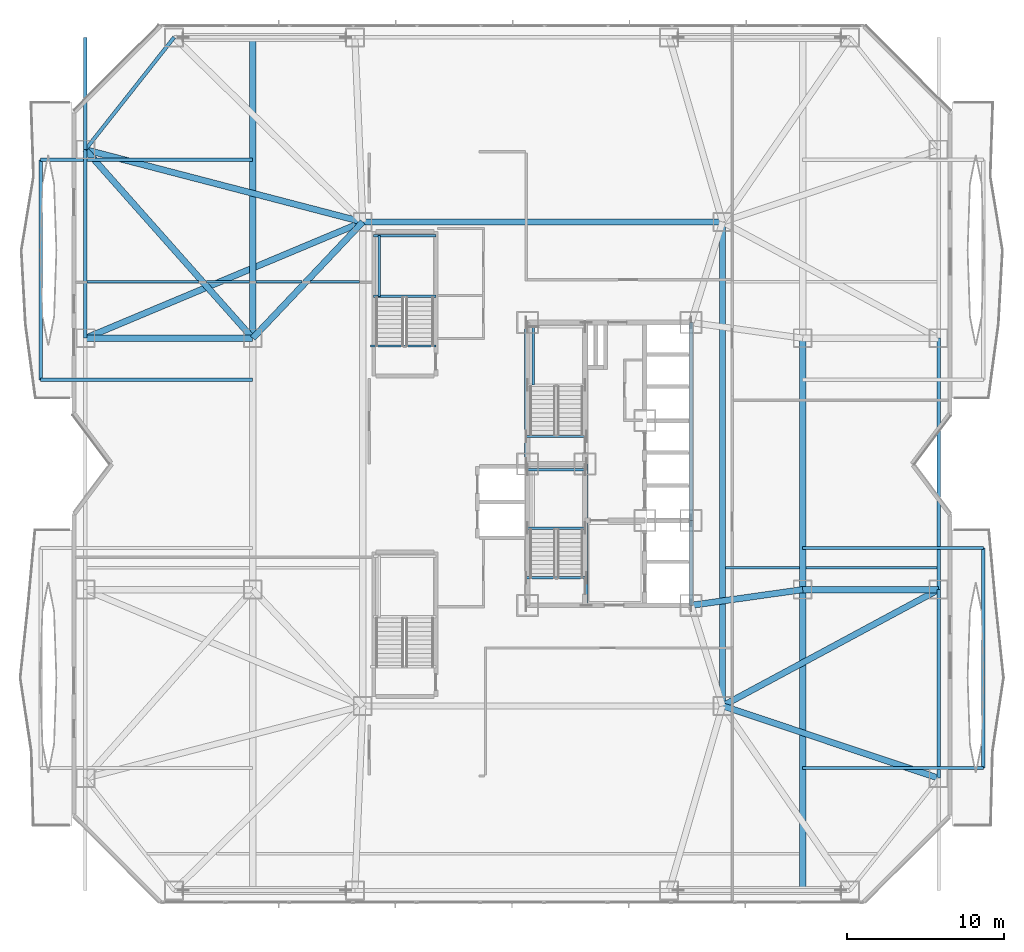
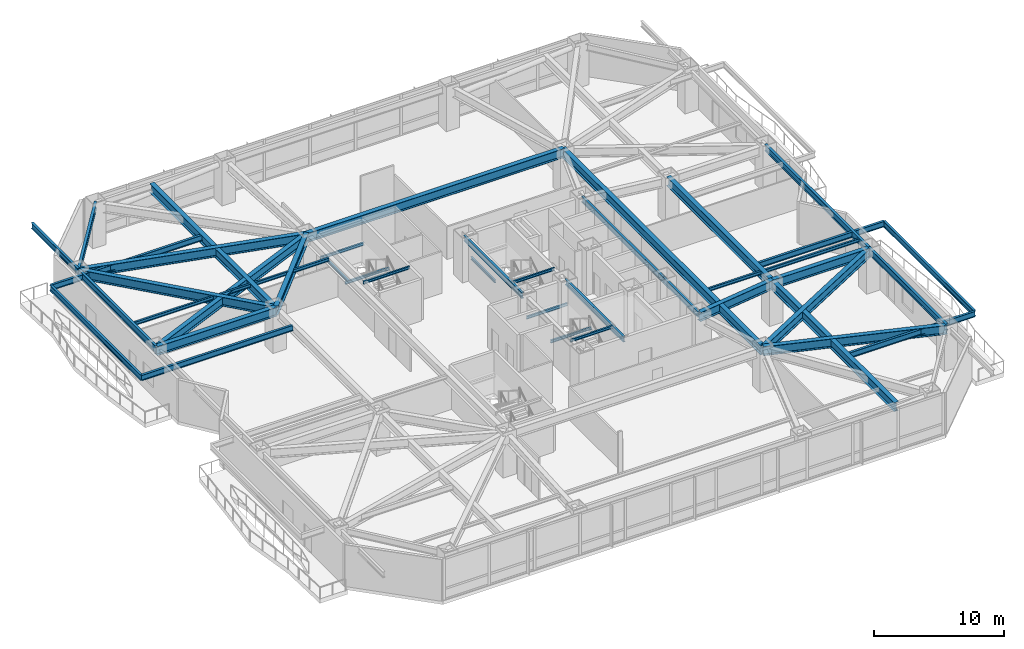
# One storey, part 9 of 32: 44 beams.
"""IFC4 building model written with IfcOpenShell, lengths in metres."""

from ifc_helpers import new_model, si_unit, direction, frame, origin, origin_2d, place, context, subcontext, project, spatial, i_section, extrude, material, material_profile, profile_set, type_object, element, save


model = new_model("IFC4")

# Units and contexts
model_context = context("Model", 3, precision=1e-05, world=origin(), true_north=direction((0.0, 1.0)))
body_context = subcontext(model_context, "Body", "Model", "MODEL_VIEW")
ifc_project = project(units=[si_unit("LENGTHUNIT", "METRE"), si_unit("AREAUNIT", "SQUARE_METRE"), si_unit("VOLUMEUNIT", "CUBIC_METRE"), si_unit("PLANEANGLEUNIT", "RADIAN"), si_unit("MASSUNIT", "GRAM", prefix="KILO")], contexts=[model_context])

# Site, building, storey
site_placement = place(None, origin())
site = spatial("IfcSite", under=ifc_project, at=site_placement, CompositionType="ELEMENT")
building_placement = place(site_placement, origin())
building = spatial("IfcBuilding", under=site, at=building_placement, Name="Khamvora Tower", CompositionType="ELEMENT")
storey_placement = place(building_placement, frame((0.0, 0.0, 12.0)))
storey = spatial("IfcBuildingStorey", under=building, at=storey_placement, Name="L02", CompositionType="ELEMENT", Elevation=12.0)

# Beams
ifc_material = material(Name="Steel S355", Category="steel")
ifc_material_profile_1 = material_profile(ifc_material, i_section(OverallWidth=0.166015625, OverallDepth=0.31298828125, WebThickness=0.007080078125, FlangeThickness=0.010986328125, FilletRadius=0.010009765625, at=origin_2d()), Name="W310x45")
ifc_profile_set_1 = profile_set([ifc_material_profile_1], Name="Steel S355")
beam_type_1 = type_object("IfcBeamType", Name="BM-JS-W310x45", PredefinedType="JOIST", material=ifc_profile_set_1)
beam_1_placement = place(storey_placement, frame((41.594970703125, 21.39990234375, 3.763916015625), z_axis=(1.0, 0.0, 0.0), x_axis=(0.0, 1.0, 0.0)))
element("IfcBeam", 1, at=beam_1_placement, inside=storey, type_object=beam_type_1, Name="L02 secondary floor joist 09", PredefinedType="JOIST", context=body_context, shape_type="SweptSolid", body=[
    extrude(i_section(OverallWidth=0.166015625, OverallDepth=0.31298828125, WebThickness=0.007080078125, FlangeThickness=0.010986328125, FilletRadius=0.010009765625, at=origin_2d()), origin(), (0.0, 0.0, 1.0), 4.7099609375),
])
beam_2_placement = place(storey_placement, frame((46.695068359375, 21.39990234375, 3.763916015625), z_axis=(1.0, 0.0, 0.0), x_axis=(0.0, 1.0, 0.0)))
element("IfcBeam", 2, at=beam_2_placement, inside=storey, type_object=beam_type_1, Name="L02 secondary floor joist 10", PredefinedType="JOIST", context=body_context, shape_type="SweptSolid", body=[
    extrude(i_section(OverallWidth=0.166015625, OverallDepth=0.31298828125, WebThickness=0.007080078125, FlangeThickness=0.010986328125, FilletRadius=0.010009765625, at=origin_2d()), origin(), (0.0, 0.0, 1.0), 8.344970703125),
])
beam_3_placement = place(storey_placement, frame((0.9599609375, 39.60009765625, 3.763916015625), z_axis=(1.0, 0.0, 0.0), x_axis=(0.0, 1.0, 0.0)))
element("IfcBeam", 3, at=beam_3_placement, inside=storey, type_object=beam_type_1, Name="L02 secondary floor joist 11", PredefinedType="JOIST", context=body_context, shape_type="SweptSolid", body=[
    extrude(i_section(OverallWidth=0.166015625, OverallDepth=0.31298828125, WebThickness=0.007080078125, FlangeThickness=0.010986328125, FilletRadius=0.010009765625, at=origin_2d()), origin(), (0.0, 0.0, 1.0), 7.0830078125),
])
beam_4_placement = place(storey_placement, frame((8.56689453125, 39.60009765625, 3.763916015625), z_axis=(1.0, 0.0, 0.0), x_axis=(0.0, 1.0, 0.0)))
element("IfcBeam", 4, at=beam_4_placement, inside=storey, type_object=beam_type_1, Name="L02 secondary floor joist 12", PredefinedType="JOIST", context=body_context, shape_type="SweptSolid", body=[
    extrude(i_section(OverallWidth=0.166015625, OverallDepth=0.31298828125, WebThickness=0.007080078125, FlangeThickness=0.010986328125, FilletRadius=0.010009765625, at=origin_2d()), origin(), (0.0, 0.0, 1.0), 2.738037109375),
])
beam_5_placement = place(storey_placement, frame((11.695068359375, 39.60009765625, 3.763916015625), z_axis=(1.0, 0.0, 0.0), x_axis=(0.0, 1.0, 0.0)))
element("IfcBeam", 5, at=beam_5_placement, inside=storey, type_object=beam_type_1, Name="L02 secondary floor joist 13", PredefinedType="JOIST", context=body_context, shape_type="SweptSolid", body=[
    extrude(i_section(OverallWidth=0.166015625, OverallDepth=0.31298828125, WebThickness=0.007080078125, FlangeThickness=0.010986328125, FilletRadius=0.010009765625, at=origin_2d()), origin(), (0.0, 0.0, 1.0), 2.93994140625),
])
beam_6_placement = place(storey_placement, frame((15.176025390625, 39.60009765625, 3.763916015625), z_axis=(1.0, 0.0, 0.0), x_axis=(0.0, 1.0, 0.0)))
element("IfcBeam", 6, at=beam_6_placement, inside=storey, type_object=beam_type_1, Name="L02 secondary floor joist 14", PredefinedType="JOIST", context=body_context, shape_type="SweptSolid", body=[
    extrude(i_section(OverallWidth=0.166015625, OverallDepth=0.31298828125, WebThickness=0.007080078125, FlangeThickness=0.010986328125, FilletRadius=0.010009765625, at=origin_2d()), origin(), (0.0, 0.0, 1.0), 3.12890625),
])
ifc_material_profile_2 = material_profile(ifc_material, i_section(OverallWidth=0.14697265625, OverallDepth=0.261962890625, WebThickness=0.007080078125, FlangeThickness=0.010986328125, FilletRadius=0.008056640625, at=origin_2d()), Name="W250x39")
ifc_profile_set_2 = profile_set([ifc_material_profile_2], Name="Steel S355")
beam_type_2 = type_object("IfcBeamType", Name="BM-LN-W250x39", PredefinedType="LINTEL", material=ifc_profile_set_2)
for number, where, z_axis, x_axis, name in (
    (7, (29.0, 23.9150390625, 1.76904296875), (1.0, 0.0, 0.0), (0.0, 1.0, 0.0), "L02 ST-01 half-landing support beam 1.1"),
    (8, (29.0, 27.6298828125, 1.76904296875), (1.0, 0.0, 0.0), (0.0, 1.0, 0.0), "L02 ST-01 half-landing support beam 1.2"),
):
    element("IfcBeam", number, at=place(storey_placement, frame(where, z_axis=z_axis, x_axis=x_axis)), inside=storey, type_object=beam_type_2, Name=name, PredefinedType="LINTEL", context=body_context, shape_type="SweptSolid", body=[
        extrude(i_section(OverallWidth=0.14697265625, OverallDepth=0.261962890625, WebThickness=0.007080078125, FlangeThickness=0.010986328125, FilletRadius=0.008056640625, at=origin_2d()), origin(), (0.0, 0.0, 1.0), 3.64990234375),
    ])
beam_7_placement = place(storey_placement, frame((29.35009765625, 33.014892578125, 1.76904296875), z_axis=(0.0, 1.0, 0.0), x_axis=(-1.0, 0.0, 0.0)))
element("IfcBeam", 9, at=beam_7_placement, inside=storey, type_object=beam_type_2, Name="L02 ST-02 half-landing edge stringer 1", PredefinedType="LINTEL", context=body_context, shape_type="SweptSolid", body=[
    extrude(i_section(OverallWidth=0.14697265625, OverallDepth=0.261962890625, WebThickness=0.007080078125, FlangeThickness=0.010986328125, FilletRadius=0.008056640625, at=origin_2d()), origin(), (0.0, 0.0, 1.0), 3.715087890625),
])
for number, where, z_axis, x_axis, name in (
    (10, (19.199951171875, 38.6650390625, 1.76904296875), (1.0, 0.0, 0.0), (0.0, 1.0, 0.0), "L02 ST-04 half-landing support beam 1.1"),
    (11, (19.199951171875, 42.530029296875, 1.76904296875), (1.0, 0.0, 0.0), (0.0, 1.0, 0.0), "L02 ST-04 half-landing support beam 1.2"),
):
    element("IfcBeam", number, at=place(storey_placement, frame(where, z_axis=z_axis, x_axis=x_axis)), inside=storey, type_object=beam_type_2, Name=name, PredefinedType="LINTEL", context=body_context, shape_type="SweptSolid", body=[
        extrude(i_section(OverallWidth=0.14697265625, OverallDepth=0.261962890625, WebThickness=0.007080078125, FlangeThickness=0.010986328125, FilletRadius=0.008056640625, at=origin_2d()), origin(), (0.0, 0.0, 1.0), 3.949951171875),
    ])
beam_8_placement = place(storey_placement, frame((19.550048828125, 38.6650390625, 1.76904296875), z_axis=(0.0, 1.0, 0.0), x_axis=(-1.0, 0.0, 0.0)))
element("IfcBeam", 12, at=beam_8_placement, inside=storey, type_object=beam_type_2, Name="L02 ST-04 half-landing edge stringer 1", PredefinedType="LINTEL", context=body_context, shape_type="SweptSolid", body=[
    extrude(i_section(OverallWidth=0.14697265625, OverallDepth=0.261962890625, WebThickness=0.007080078125, FlangeThickness=0.010986328125, FilletRadius=0.008056640625, at=origin_2d()), origin(), (0.0, 0.0, 1.0), 3.864990234375),
])
for number, where, z_axis, x_axis, name in (
    (13, (28.89990234375, 20.75, 3.7939453125), (1.0, 0.0, 0.0), (0.0, 1.0, 0.0), "L02 exit stair ST-01 landing trimmer beam"),
    (14, (28.89990234375, 29.75, 3.7939453125), (1.0, 0.0, 0.0), (0.0, 1.0, 0.0), "L02 exit stair ST-02 landing trimmer beam"),
):
    element("IfcBeam", number, at=place(storey_placement, frame(where, z_axis=z_axis, x_axis=x_axis)), inside=storey, type_object=beam_type_2, Name=name, PredefinedType="LINTEL", context=body_context, shape_type="SweptSolid", body=[
        extrude(i_section(OverallWidth=0.14697265625, OverallDepth=0.261962890625, WebThickness=0.007080078125, FlangeThickness=0.010986328125, FilletRadius=0.008056640625, at=origin_2d()), origin(), (0.0, 0.0, 1.0), 3.830078125),
    ])
beam_9_placement = place(storey_placement, frame((19.0, 35.5, 3.7939453125), z_axis=(1.0, 0.0, 0.0), x_axis=(0.0, 1.0, 0.0)))
element("IfcBeam", 15, at=beam_9_placement, inside=storey, type_object=beam_type_2, Name="L02 podium stair ST04 landing trimmer beam", PredefinedType="LINTEL", context=body_context, shape_type="SweptSolid", body=[
    extrude(i_section(OverallWidth=0.14697265625, OverallDepth=0.261962890625, WebThickness=0.007080078125, FlangeThickness=0.010986328125, FilletRadius=0.008056640625, at=origin_2d()), origin(), (0.0, 0.0, 1.0), 4.14990234375),
])
ifc_material_profile_3 = material_profile(ifc_material, i_section(OverallWidth=0.39990234375, OverallDepth=0.85498046875, WebThickness=0.01806640625, FlangeThickness=0.029052734375, FilletRadius=0.01806640625, at=origin_2d()), Name="W840x299")
ifc_profile_set_3 = profile_set([ifc_material_profile_3], Name="Steel S355")
beam_type_3 = type_object("IfcBeamType", Name="BM-PG-W840x299", PredefinedType="BEAM", material=ifc_profile_set_3)
beam_10_placement = place(storey_placement, frame((41.39990234375, 12.60009765625, 3.491943359375), z_axis=(0.0, 1.0, 0.0), x_axis=(-1.0, 0.0, 0.0)))
element("IfcBeam", 16, at=beam_10_placement, inside=storey, type_object=beam_type_3, Name="L02 longitudinal frame girder P18-P20", PredefinedType="BEAM", context=body_context, shape_type="SweptSolid", body=[
    extrude(i_section(OverallWidth=0.39990234375, OverallDepth=0.85498046875, WebThickness=0.01806640625, FlangeThickness=0.029052734375, FilletRadius=0.01806640625, at=origin_2d()), origin(), (0.0, 0.0, 1.0), 30.7998046875),
])
beam_11_placement = place(storey_placement, frame((18.5, 43.39990234375, 3.491943359375), z_axis=(1.0, 0.0, 0.0), x_axis=(0.0, 1.0, 0.0)))
element("IfcBeam", 17, at=beam_11_placement, inside=storey, type_object=beam_type_3, Name="L02 longitudinal frame girder P19-P20", PredefinedType="BEAM", context=body_context, shape_type="SweptSolid", body=[
    extrude(i_section(OverallWidth=0.39990234375, OverallDepth=0.85498046875, WebThickness=0.01806640625, FlangeThickness=0.029052734375, FilletRadius=0.01806640625, at=origin_2d()), origin(), (0.0, 0.0, 1.0), 22.89990234375),
])
beam_12_placement = place(storey_placement, frame((46.5, 20.0, 3.491943359375), z_axis=(0.0, 1.0, 0.0), x_axis=(-1.0, 0.0, 0.0)))
element("IfcBeam", 18, at=beam_12_placement, inside=storey, type_object=beam_type_3, Name="L02 longitudinal frame girder P23-P24", PredefinedType="BEAM", context=body_context, shape_type="SweptSolid", body=[
    extrude(i_section(OverallWidth=0.39990234375, OverallDepth=0.85498046875, WebThickness=0.01806640625, FlangeThickness=0.029052734375, FilletRadius=0.01806640625, at=origin_2d()), origin(), (0.0, 0.0, 1.0), 16.0),
])
beam_13_placement = place(storey_placement, frame((11.5, 36.0, 3.491943359375), z_axis=(-1.0, 0.0, 0.0), x_axis=(0.0, -1.0, 0.0)))
element("IfcBeam", 19, at=beam_13_placement, inside=storey, type_object=beam_type_3, Name="L02 primary floor girder P11", PredefinedType="BEAM", context=body_context, shape_type="SweptSolid", body=[
    extrude(i_section(OverallWidth=0.39990234375, OverallDepth=0.85498046875, WebThickness=0.01806640625, FlangeThickness=0.029052734375, FilletRadius=0.01806640625, at=origin_2d()), origin(), (0.0, 0.0, 1.0), 10.64990234375),
])
beam_14_placement = place(storey_placement, frame((11.5, 36.0, 3.491943359375), z_axis=(-0.6637799472, 0.747927925468, 0.0), x_axis=(-0.747927925468, -0.6637799472, 0.0)))
element("IfcBeam", 20, at=beam_14_placement, inside=storey, type_object=beam_type_3, Name="L02 primary floor girder P12", PredefinedType="BEAM", context=body_context, shape_type="SweptSolid", body=[
    extrude(i_section(OverallWidth=0.39990234375, OverallDepth=0.85498046875, WebThickness=0.01806640625, FlangeThickness=0.029052734375, FilletRadius=0.01806640625, at=origin_2d()), origin(), (0.0, 0.0, 1.0), 16.04443359375),
])
beam_15_placement = place(storey_placement, frame((41.39990234375, 12.60009765625, 3.491943359375), z_axis=(0.948335857324, -0.31726818579, 0.0), x_axis=(0.31726818579, 0.948335857324, 0.0)))
element("IfcBeam", 21, at=beam_15_placement, inside=storey, type_object=beam_type_3, Name="L02 primary floor girder P13", PredefinedType="BEAM", context=body_context, shape_type="SweptSolid", body=[
    extrude(i_section(OverallWidth=0.39990234375, OverallDepth=0.85498046875, WebThickness=0.01806640625, FlangeThickness=0.029052734375, FilletRadius=0.01806640625, at=origin_2d()), origin(), (0.0, 0.0, 1.0), 14.4990234375),
])
beam_16_placement = place(storey_placement, frame((46.5, 20.0, 3.491943359375), z_axis=(1.0, 0.0, 0.0), x_axis=(0.0, 1.0, 0.0)))
element("IfcBeam", 22, at=beam_16_placement, inside=storey, type_object=beam_type_3, Name="L02 primary floor girder P14", PredefinedType="BEAM", context=body_context, shape_type="SweptSolid", body=[
    extrude(i_section(OverallWidth=0.39990234375, OverallDepth=0.85498046875, WebThickness=0.01806640625, FlangeThickness=0.029052734375, FilletRadius=0.01806640625, at=origin_2d()), origin(), (0.0, 0.0, 1.0), 8.64990234375),
])
beam_17_placement = place(storey_placement, frame((18.5, 43.39990234375, 3.491943359375), z_axis=(-0.687204640029, -0.726463889483, 0.0), x_axis=(0.726463889483, -0.687204640029, 0.0)))
element("IfcBeam", 23, at=beam_17_placement, inside=storey, type_object=beam_type_3, Name="L02 primary floor girder P22", PredefinedType="BEAM", context=body_context, shape_type="SweptSolid", body=[
    extrude(i_section(OverallWidth=0.39990234375, OverallDepth=0.85498046875, WebThickness=0.01806640625, FlangeThickness=0.029052734375, FilletRadius=0.01806640625, at=origin_2d()), origin(), (0.0, 0.0, 1.0), 10.186279296875),
])
beam_18_placement = place(storey_placement, frame((39.39990234375, 19.0, 3.491943359375), z_axis=(0.990226770029, 0.139466640879, 0.0), x_axis=(-0.139466640879, 0.990226770029, 0.0)))
element("IfcBeam", 24, at=beam_18_placement, inside=storey, type_object=beam_type_3, Name="L02 primary floor girder P23", PredefinedType="BEAM", context=body_context, shape_type="SweptSolid", body=[
    extrude(i_section(OverallWidth=0.39990234375, OverallDepth=0.85498046875, WebThickness=0.01806640625, FlangeThickness=0.029052734375, FilletRadius=0.01806640625, at=origin_2d()), origin(), (0.0, 0.0, 1.0), 7.170166015625),
])
beam_19_placement = place(storey_placement, frame((55.14990234375, 20.0, 3.491943359375), z_axis=(-0.880576508414, -0.473904012252, 0.0), x_axis=(0.473904012252, -0.880576508414, 0.0)))
element("IfcBeam", 25, at=beam_19_placement, inside=storey, type_object=beam_type_3, Name="L02 east plinth tie girder 2", PredefinedType="BEAM", context=body_context, shape_type="SweptSolid", body=[
    extrude(i_section(OverallWidth=0.39990234375, OverallDepth=0.85498046875, WebThickness=0.01806640625, FlangeThickness=0.029052734375, FilletRadius=0.01806640625, at=origin_2d()), origin(), (0.0, 0.0, 1.0), 15.61474609375),
])
beam_20_placement = place(storey_placement, frame((46.5, 0.85009765625, 3.491943359375), z_axis=(0.0, 1.0, 0.0), x_axis=(-1.0, 0.0, 0.0)))
element("IfcBeam", 26, at=beam_20_placement, inside=storey, type_object=beam_type_3, Name="L02 gallery collector girder E.1", PredefinedType="BEAM", context=body_context, shape_type="SweptSolid", body=[
    extrude(i_section(OverallWidth=0.39990234375, OverallDepth=0.85498046875, WebThickness=0.01806640625, FlangeThickness=0.029052734375, FilletRadius=0.01806640625, at=origin_2d()), origin(), (0.0, 0.0, 1.0), 19.14990234375),
])
beam_21_placement = place(storey_placement, frame((0.85009765625, 36.0, 3.491943359375), z_axis=(0.922225491396, 0.386652483529, 0.0), x_axis=(-0.386652483529, 0.922225491396, 0.0)))
element("IfcBeam", 27, at=beam_21_placement, inside=storey, type_object=beam_type_3, Name="L02 west plinth tie girder 3", PredefinedType="BEAM", context=body_context, shape_type="SweptSolid", body=[
    extrude(i_section(OverallWidth=0.39990234375, OverallDepth=0.85498046875, WebThickness=0.01806640625, FlangeThickness=0.029052734375, FilletRadius=0.01806640625, at=origin_2d()), origin(), (0.0, 0.0, 1.0), 19.138427734375),
])
beam_22_placement = place(storey_placement, frame((0.85009765625, 48.0, 3.491943359375), z_axis=(0.967673821538, -0.252205025942, 0.0), x_axis=(0.252205025942, 0.967673821538, 0.0)))
element("IfcBeam", 28, at=beam_22_placement, inside=storey, type_object=beam_type_3, Name="L02 west plinth tie girder 4", PredefinedType="BEAM", context=body_context, shape_type="SweptSolid", body=[
    extrude(i_section(OverallWidth=0.39990234375, OverallDepth=0.85498046875, WebThickness=0.01806640625, FlangeThickness=0.029052734375, FilletRadius=0.01806640625, at=origin_2d()), origin(), (0.0, 0.0, 1.0), 18.239501953125),
])
beam_23_placement = place(storey_placement, frame((11.5, 36.0, 3.491943359375), z_axis=(0.0, 1.0, 0.0), x_axis=(-1.0, 0.0, 0.0)))
element("IfcBeam", 29, at=beam_23_placement, inside=storey, type_object=beam_type_3, Name="L02 gallery collector girder W.3", PredefinedType="BEAM", context=body_context, shape_type="SweptSolid", body=[
    extrude(i_section(OverallWidth=0.39990234375, OverallDepth=0.85498046875, WebThickness=0.01806640625, FlangeThickness=0.029052734375, FilletRadius=0.01806640625, at=origin_2d()), origin(), (0.0, 0.0, 1.0), 19.14990234375),
])
ifc_material_profile_4 = material_profile(ifc_material, i_section(OverallWidth=0.2119140625, OverallDepth=0.5439453125, WebThickness=0.012939453125, FlangeThickness=0.02099609375, FilletRadius=0.013916015625, at=origin_2d()), Name="W530x123")
ifc_profile_set_4 = profile_set([ifc_material_profile_4], Name="Steel S355")
beam_type_4 = type_object("IfcBeamType", Name="BM-SP-W530x123", PredefinedType="SPANDREL", material=ifc_profile_set_4)
beam_24_placement = place(storey_placement, frame((0.85009765625, 48.0, 3.64794921875), z_axis=(0.0, 1.0, 0.0), x_axis=(-1.0, 0.0, 0.0)))
element("IfcBeam", 30, at=beam_24_placement, inside=storey, type_object=beam_type_4, Name="L02 W perimeter edge spandrel 5", PredefinedType="SPANDREL", context=body_context, shape_type="SweptSolid", body=[
    extrude(i_section(OverallWidth=0.2119140625, OverallDepth=0.5439453125, WebThickness=0.012939453125, FlangeThickness=0.02099609375, FilletRadius=0.013916015625, at=origin_2d()), origin(), (0.0, 0.0, 1.0), 7.14990234375),
])
ifc_material_profile_5 = material_profile(ifc_material, i_section(OverallWidth=0.208984375, OverallDepth=0.532958984375, WebThickness=0.010009765625, FlangeThickness=0.01611328125, FilletRadius=0.013916015625, at=origin_2d()), Name="W530x92")
ifc_profile_set_5 = profile_set([ifc_material_profile_5], Name="Steel S355")
beam_type_5 = type_object("IfcBeamType", Name="BM-SP-W530x92", PredefinedType="SPANDREL", material=ifc_profile_set_5)
for number, where, z_axis, x_axis, name in (
    (31, (28.89990234375, 28.0, 3.653076171875), (0.0, 1.0, 0.0), (-1.0, 0.0, 0.0), "L02 core spine girder WN"),
    (32, (32.72998046875, 19.0, 3.653076171875), (0.0, 1.0, 0.0), (-1.0, 0.0, 0.0), "L02 core spine girder M1S"),
):
    element("IfcBeam", number, at=place(storey_placement, frame(where, z_axis=z_axis, x_axis=x_axis)), inside=storey, type_object=beam_type_5, Name=name, PredefinedType="SPANDREL", context=body_context, shape_type="SweptSolid", body=[
        extrude(i_section(OverallWidth=0.208984375, OverallDepth=0.532958984375, WebThickness=0.010009765625, FlangeThickness=0.01611328125, FilletRadius=0.013916015625, at=origin_2d()), origin(), (0.0, 0.0, 1.0), 9.0),
    ])
beam_25_placement = place(storey_placement, frame((39.39990234375, 19.0, 3.653076171875), z_axis=(0.0, 1.0, 0.0), x_axis=(-1.0, 0.0, 0.0)))
element("IfcBeam", 33, at=beam_25_placement, inside=storey, type_object=beam_type_5, Name="L02 core spine girder ES", PredefinedType="SPANDREL", context=body_context, shape_type="SweptSolid", body=[
    extrude(i_section(OverallWidth=0.208984375, OverallDepth=0.532958984375, WebThickness=0.010009765625, FlangeThickness=0.01611328125, FilletRadius=0.013916015625, at=origin_2d()), origin(), (0.0, 0.0, 1.0), 5.39990234375),
])
beam_26_placement = place(storey_placement, frame((39.39990234375, 24.39990234375, 3.653076171875), z_axis=(0.0, 1.0, 0.0), x_axis=(-1.0, 0.0, 0.0)))
element("IfcBeam", 34, at=beam_26_placement, inside=storey, type_object=beam_type_5, Name="L02 core spine girder EN", PredefinedType="SPANDREL", context=body_context, shape_type="SweptSolid", body=[
    extrude(i_section(OverallWidth=0.208984375, OverallDepth=0.532958984375, WebThickness=0.010009765625, FlangeThickness=0.01611328125, FilletRadius=0.013916015625, at=origin_2d()), origin(), (0.0, 0.0, 1.0), 12.60009765625),
])
for number, where, z_axis, x_axis, name in (
    (35, (46.5, 8.64990234375, 3.512939453125), (1.0, 0.0, 0.0), (0.0, 1.0, 0.0), "L02 continuous gallery cantilever girder L03-EL1-1"),
    (36, (46.5, 22.64990234375, 3.512939453125), (1.0, 0.0, 0.0), (0.0, 1.0, 0.0), "L02 continuous gallery cantilever girder L03-EL1-2"),
):
    element("IfcBeam", number, at=place(storey_placement, frame(where, z_axis=z_axis, x_axis=x_axis)), inside=storey, type_object=beam_type_5, Name=name, PredefinedType="SPANDREL", context=body_context, shape_type="SweptSolid", body=[
        extrude(i_section(OverallWidth=0.208984375, OverallDepth=0.532958984375, WebThickness=0.010009765625, FlangeThickness=0.01611328125, FilletRadius=0.013916015625, at=origin_2d()), origin(), (0.0, 0.0, 1.0), 11.5),
    ])
beam_27_placement = place(storey_placement, frame((58.0, 8.64990234375, 3.512939453125), z_axis=(0.0, 1.0, 0.0), x_axis=(-1.0, 0.0, 0.0)))
element("IfcBeam", 37, at=beam_27_placement, inside=storey, type_object=beam_type_5, Name="L02 external gallery edge header beam L03-EL1", PredefinedType="SPANDREL", context=body_context, shape_type="SweptSolid", body=[
    extrude(i_section(OverallWidth=0.208984375, OverallDepth=0.532958984375, WebThickness=0.010009765625, FlangeThickness=0.01611328125, FilletRadius=0.013916015625, at=origin_2d()), origin(), (0.0, 0.0, 1.0), 14.0),
])
for number, where, z_axis, x_axis, name in (
    (38, (11.5, 33.35009765625, 3.512939453125), (-1.0, 0.0, 0.0), (0.0, -1.0, 0.0), "L02 continuous gallery cantilever girder L03-WL2-1"),
    (39, (11.5, 47.35009765625, 3.512939453125), (-1.0, 0.0, 0.0), (0.0, -1.0, 0.0), "L02 continuous gallery cantilever girder L03-WL2-2"),
):
    element("IfcBeam", number, at=place(storey_placement, frame(where, z_axis=z_axis, x_axis=x_axis)), inside=storey, type_object=beam_type_5, Name=name, PredefinedType="SPANDREL", context=body_context, shape_type="SweptSolid", body=[
        extrude(i_section(OverallWidth=0.208984375, OverallDepth=0.532958984375, WebThickness=0.010009765625, FlangeThickness=0.01611328125, FilletRadius=0.013916015625, at=origin_2d()), origin(), (0.0, 0.0, 1.0), 13.5),
    ])
beam_28_placement = place(storey_placement, frame((-2.0, 33.35009765625, 3.512939453125), z_axis=(0.0, 1.0, 0.0), x_axis=(-1.0, 0.0, 0.0)))
element("IfcBeam", 40, at=beam_28_placement, inside=storey, type_object=beam_type_5, Name="L02 external gallery edge header beam L03-WL2", PredefinedType="SPANDREL", context=body_context, shape_type="SweptSolid", body=[
    extrude(i_section(OverallWidth=0.208984375, OverallDepth=0.532958984375, WebThickness=0.010009765625, FlangeThickness=0.01611328125, FilletRadius=0.013916015625, at=origin_2d()), origin(), (0.0, 0.0, 1.0), 14.0),
])
ifc_material_profile_6 = material_profile(ifc_material, i_section(OverallWidth=0.22998046875, OverallDepth=0.616943359375, WebThickness=0.012939453125, FlangeThickness=0.02197265625, FilletRadius=0.013916015625, at=origin_2d()), Name="W610x140")
ifc_profile_set_6 = profile_set([ifc_material_profile_6], Name="Steel S355")
beam_type_6 = type_object("IfcBeamType", Name="BM-SP-W610x140", PredefinedType="SPANDREL", material=ifc_profile_set_6)
beam_29_placement = place(storey_placement, frame((55.14990234375, 8.0, 3.611083984375), z_axis=(0.0, 1.0, 0.0), x_axis=(-1.0, 0.0, 0.0)))
element("IfcBeam", 41, at=beam_29_placement, inside=storey, type_object=beam_type_6, Name="L02 perimeter spandrel beam P13-P14", PredefinedType="SPANDREL", context=body_context, shape_type="SweptSolid", body=[
    extrude(i_section(OverallWidth=0.22998046875, OverallDepth=0.616943359375, WebThickness=0.012939453125, FlangeThickness=0.02197265625, FilletRadius=0.013916015625, at=origin_2d()), origin(), (0.0, 0.0, 1.0), 12.0),
])
beam_30_placement = place(storey_placement, frame((55.14990234375, 20.0, 3.611083984375), z_axis=(0.0, 1.0, 0.0), x_axis=(-1.0, 0.0, 0.0)))
element("IfcBeam", 42, at=beam_30_placement, inside=storey, type_object=beam_type_6, Name="L02 perimeter spandrel beam P14-P15", PredefinedType="SPANDREL", context=body_context, shape_type="SweptSolid", body=[
    extrude(i_section(OverallWidth=0.22998046875, OverallDepth=0.616943359375, WebThickness=0.012939453125, FlangeThickness=0.02197265625, FilletRadius=0.013916015625, at=origin_2d()), origin(), (0.0, 0.0, 1.0), 16.0),
])
beam_31_placement = place(storey_placement, frame((6.5, 55.14990234375, 3.611083984375), z_axis=(-0.619998635429, -0.784602888133, 0.0), x_axis=(0.784602888133, -0.619998635429, 0.0)))
element("IfcBeam", 43, at=beam_31_placement, inside=storey, type_object=beam_type_6, Name="L02 perimeter spandrel beam P05-P12", PredefinedType="SPANDREL", context=body_context, shape_type="SweptSolid", body=[
    extrude(i_section(OverallWidth=0.22998046875, OverallDepth=0.616943359375, WebThickness=0.012939453125, FlangeThickness=0.02197265625, FilletRadius=0.013916015625, at=origin_2d()), origin(), (0.0, 0.0, 1.0), 9.11279296875),
])
beam_32_placement = place(storey_placement, frame((0.85009765625, 48.0, 3.611083984375), z_axis=(0.0, -1.0, 0.0), x_axis=(1.0, 0.0, 0.0)))
element("IfcBeam", 44, at=beam_32_placement, inside=storey, type_object=beam_type_6, Name="L02 perimeter spandrel beam P12-P11", PredefinedType="SPANDREL", context=body_context, shape_type="SweptSolid", body=[
    extrude(i_section(OverallWidth=0.22998046875, OverallDepth=0.616943359375, WebThickness=0.012939453125, FlangeThickness=0.02197265625, FilletRadius=0.013916015625, at=origin_2d()), origin(), (0.0, 0.0, 1.0), 12.0),
])

save(model, "model.ifc")
